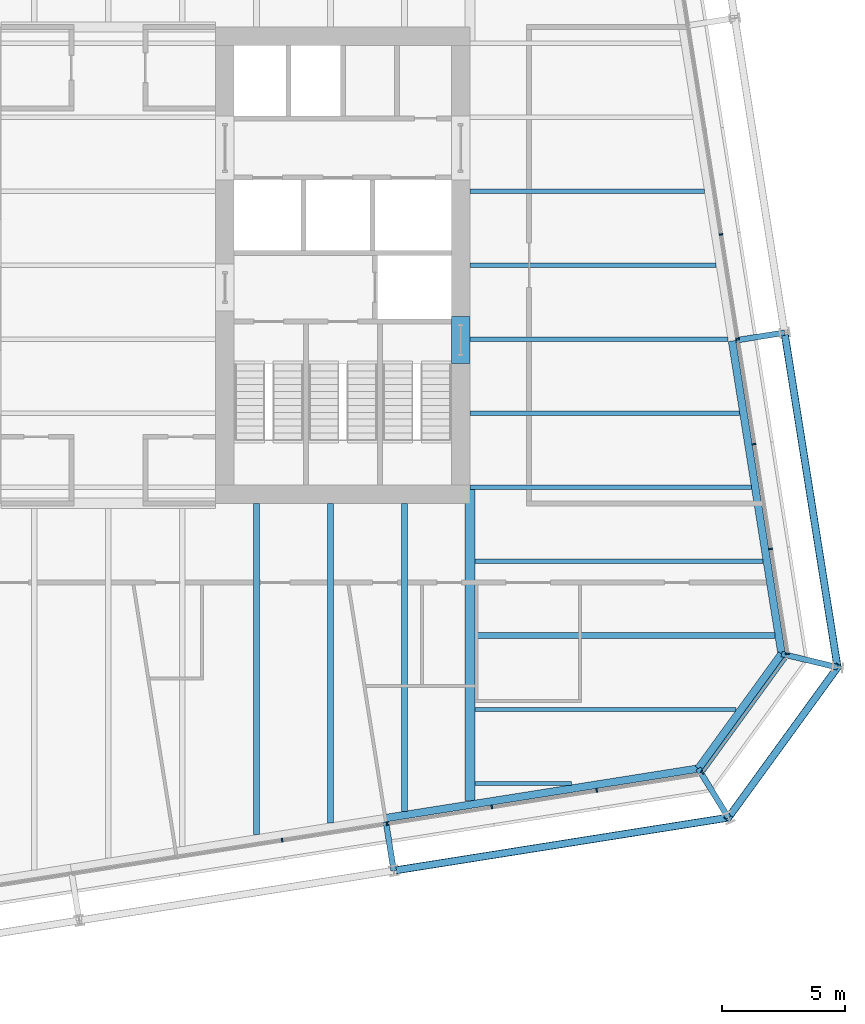
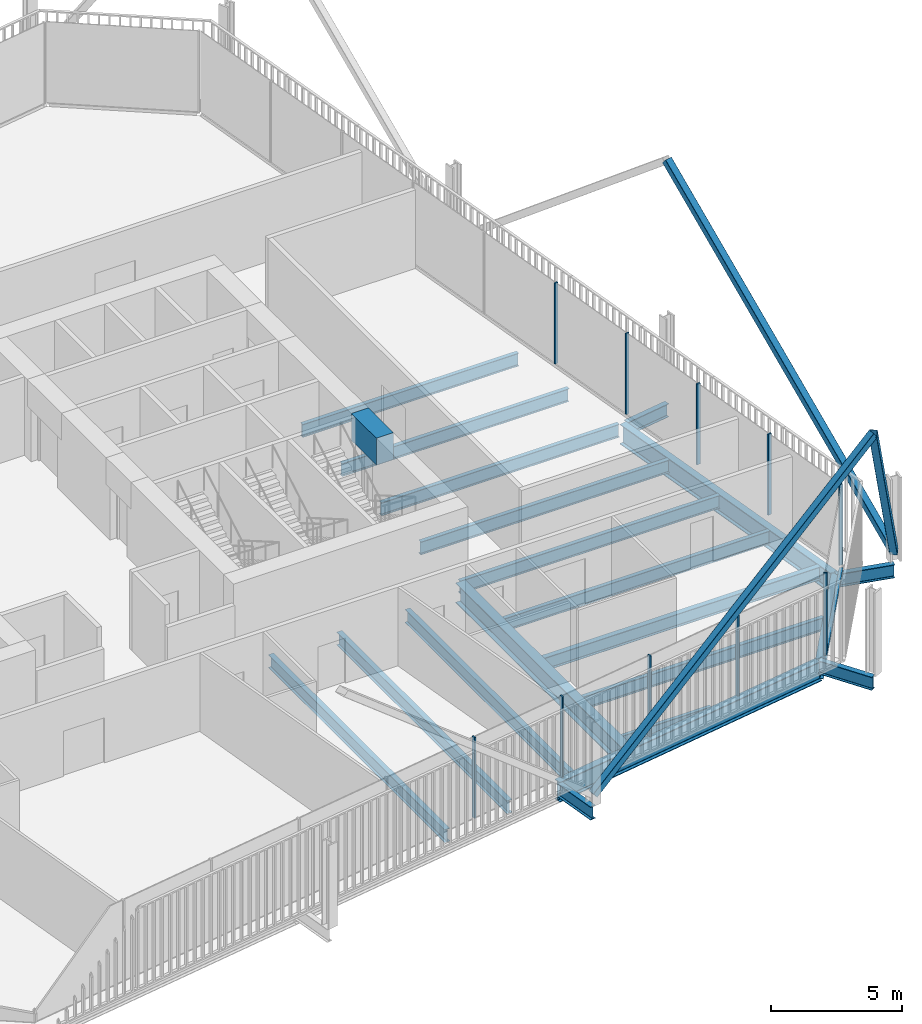
# One storey, part 8 of 22: 21 beams, 14 members, 3 elements without a shape of their own.
"""IFC4 building model written with IfcOpenShell, lengths in metres."""

from ifc_helpers import new_model, si_unit, direction, frame, origin, origin_2d, place, context, subcontext, project, spatial, rectangle, hollow_rectangle, i_section, extrude, material, layer, layer_set, material_profile, profile_set, type_object, element, aggregate, save


model = new_model("IFC4")

# Units and contexts
model_context = context("Model", 3, precision=1e-05, world=origin(), true_north=direction((0.0, 1.0)))
body_context = subcontext(model_context, "Body", "Model", "MODEL_VIEW")
ifc_project = project(units=[si_unit("LENGTHUNIT", "METRE"), si_unit("AREAUNIT", "SQUARE_METRE"), si_unit("VOLUMEUNIT", "CUBIC_METRE"), si_unit("PLANEANGLEUNIT", "RADIAN"), si_unit("MASSUNIT", "GRAM", prefix="KILO")], contexts=[model_context])

# Site, building, storey
site_placement = place(None, origin())
site = spatial("IfcSite", under=ifc_project, at=site_placement, CompositionType="ELEMENT")
building_placement = place(site_placement, origin())
building = spatial("IfcBuilding", under=site, at=building_placement, Name="Millrace Tower", CompositionType="ELEMENT")
storey_placement = place(building_placement, frame((0.0, 0.0, 168.5)))
storey = spatial("IfcBuildingStorey", under=building, at=storey_placement, Name="L38", CompositionType="ELEMENT", Elevation=168.5)

# Curtain wall, members
ifc_material_1 = material(Name="Aluminium and glass", Category="aluminium")
ifc_layer = layer(ifc_material_1, 0.14990234375)
ifc_layer_set = layer_set([ifc_layer], Name="Aluminium and glass")
curtain_wall_type = type_object("IfcCurtainWallType", Name="CW-1 office vision curtain wall", PredefinedType="NOTDEFINED", material=ifc_layer_set)
placement = place(storey_placement, origin())
curtain_wall_1 = element("IfcCurtainWall", 1, at=placement, inside=storey, type_object=curtain_wall_type, Name="Curtain wall C-F02 L38", PredefinedType="NOTDEFINED")
ifc_material_2 = material(Name="Aluminium", Category="aluminium")
ifc_material_profile_1 = material_profile(ifc_material_2, rectangle(XDim=0.06494140625, YDim=0.14990234375, at=origin_2d()))
ifc_profile_set_1 = profile_set([ifc_material_profile_1], Name="Aluminium")
member_type_1 = type_object("IfcMemberType", Name="CW-1 office vision curtain wall mullion", PredefinedType="MULLION", material=ifc_profile_set_1)
member_1_placement = place(storey_placement, frame((7.04345703125, -23.293212890625, 0.139892578125), z_axis=(0.0, 0.0, 1.0), x_axis=(0.98768833929, 0.15643447328, 0.0)))
member_1 = element("IfcMember", 2, at=member_1_placement, type_object=member_type_1, Name="CW1 mullion C-F02.6", PredefinedType="MULLION", context=body_context, shape_type="SweptSolid", body=[
    extrude(rectangle(XDim=0.06494140625, YDim=0.14990234375, at=origin_2d()), origin(), (0.0, 0.0, 1.0), 3.760009765625),
])
member_2_placement = place(storey_placement, frame((11.29052734375, -22.62060546875, 0.139892578125), z_axis=(0.0, 0.0, 1.0), x_axis=(0.98768833929, 0.15643447328, 0.0)))
member_2 = element("IfcMember", 3, at=member_2_placement, type_object=member_type_1, Name="CW1 mullion C-F02.7", PredefinedType="MULLION", context=body_context, shape_type="SweptSolid", body=[
    extrude(rectangle(XDim=0.06494140625, YDim=0.14990234375, at=origin_2d()), origin(), (0.0, 0.0, 1.0), 3.760009765625),
])
member_3_placement = place(storey_placement, frame((15.53759765625, -21.947998046875, 0.139892578125), z_axis=(0.0, 0.0, 1.0), x_axis=(0.98768833929, 0.15643447328, 0.0)))
member_3 = element("IfcMember", 4, at=member_3_placement, type_object=member_type_1, Name="CW1 mullion C-F02.8", PredefinedType="MULLION", context=body_context, shape_type="SweptSolid", body=[
    extrude(rectangle(XDim=0.06494140625, YDim=0.14990234375, at=origin_2d()), origin(), (0.0, 0.0, 1.0), 3.760009765625),
])
member_4_placement = place(storey_placement, frame((19.78466796875, -21.275390625, 0.139892578125), z_axis=(0.0, 0.0, 1.0), x_axis=(0.98768833929, 0.15643447328, 0.0)))
member_4 = element("IfcMember", 5, at=member_4_placement, type_object=member_type_1, Name="CW1 mullion C-F02.9", PredefinedType="MULLION", context=body_context, shape_type="SweptSolid", body=[
    extrude(rectangle(XDim=0.06494140625, YDim=0.14990234375, at=origin_2d()), origin(), (0.0, 0.0, 1.0), 3.760009765625),
])
aggregate(curtain_wall_1, [member_1, member_2, member_3, member_4])

# Curtain wall, member
curtain_wall_2 = element("IfcCurtainWall", 6, at=placement, inside=storey, type_object=curtain_wall_type, Name="Curtain wall C-F03 L38", PredefinedType="NOTDEFINED")
member_5_placement = place(storey_placement, frame((24.06787109375, -20.551513671875, 0.139892578125), z_axis=(0.0, 0.0, 1.0), x_axis=(0.587785269844, 0.809016981623, 0.0)))
member_5 = element("IfcMember", 7, at=member_5_placement, type_object=member_type_1, Name="CW1 mullion C-F03.1", PredefinedType="MULLION", context=body_context, shape_type="SweptSolid", body=[
    extrude(rectangle(XDim=0.06494140625, YDim=0.14990234375, at=origin_2d()), origin(), (0.0, 0.0, 1.0), 3.760009765625),
])

# Curtain wall, members
curtain_wall_3 = element("IfcCurtainWall", 8, at=placement, inside=storey, type_object=curtain_wall_type, Name="Curtain wall C-F04 L38", PredefinedType="NOTDEFINED")
member_6_placement = place(storey_placement, frame((27.506591796875, -15.74169921875, 0.139892578125), z_axis=(0.0, 0.0, 1.0), x_axis=(-0.15643447328, 0.98768833929, 0.0)))
member_6 = element("IfcMember", 9, at=member_6_placement, type_object=member_type_1, Name="CW1 mullion C-F04.1", PredefinedType="MULLION", context=body_context, shape_type="SweptSolid", body=[
    extrude(rectangle(XDim=0.06494140625, YDim=0.14990234375, at=origin_2d()), origin(), (0.0, 0.0, 1.0), 3.760009765625),
])
member_7_placement = place(storey_placement, frame((26.833984375, -11.49462890625, 0.139892578125), z_axis=(0.0, 0.0, 1.0), x_axis=(-0.15643447328, 0.98768833929, 0.0)))
member_7 = element("IfcMember", 10, at=member_7_placement, type_object=member_type_1, Name="CW1 mullion C-F04.2", PredefinedType="MULLION", context=body_context, shape_type="SweptSolid", body=[
    extrude(rectangle(XDim=0.06494140625, YDim=0.14990234375, at=origin_2d()), origin(), (0.0, 0.0, 1.0), 3.760009765625),
])
member_8_placement = place(storey_placement, frame((26.161376953125, -7.24755859375, 0.139892578125), z_axis=(0.0, 0.0, 1.0), x_axis=(-0.15643447328, 0.98768833929, 0.0)))
member_8 = element("IfcMember", 11, at=member_8_placement, type_object=member_type_1, Name="CW1 mullion C-F04.3", PredefinedType="MULLION", context=body_context, shape_type="SweptSolid", body=[
    extrude(rectangle(XDim=0.06494140625, YDim=0.14990234375, at=origin_2d()), origin(), (0.0, 0.0, 1.0), 3.760009765625),
])
member_9_placement = place(storey_placement, frame((25.48876953125, -3.00048828125, 0.139892578125), z_axis=(0.0, 0.0, 1.0), x_axis=(-0.15643447328, 0.98768833929, 0.0)))
member_9 = element("IfcMember", 12, at=member_9_placement, type_object=member_type_1, Name="CW1 mullion C-F04.4", PredefinedType="MULLION", context=body_context, shape_type="SweptSolid", body=[
    extrude(rectangle(XDim=0.06494140625, YDim=0.14990234375, at=origin_2d()), origin(), (0.0, 0.0, 1.0), 3.760009765625),
])
member_10_placement = place(storey_placement, frame((24.81591796875, 1.24658203125, 0.139892578125), z_axis=(0.0, 0.0, 1.0), x_axis=(-0.15643447328, 0.98768833929, 0.0)))
member_10 = element("IfcMember", 13, at=member_10_placement, type_object=member_type_1, Name="CW1 mullion C-F04.5", PredefinedType="MULLION", context=body_context, shape_type="SweptSolid", body=[
    extrude(rectangle(XDim=0.06494140625, YDim=0.14990234375, at=origin_2d()), origin(), (0.0, 0.0, 1.0), 3.760009765625),
])
aggregate(curtain_wall_3, [member_6, member_7, member_8, member_9, member_10])

# Member
ifc_material_3 = material(Name="Aluminium", Category="aluminium")
ifc_material_profile_2 = material_profile(ifc_material_3, rectangle(XDim=0.14990234375, YDim=0.139892578125, at=origin_2d()))
ifc_profile_set_2 = profile_set([ifc_material_profile_2], Name="Aluminium")
member_type_2 = type_object("IfcMemberType", Name="CW-1 office vision curtain wall transom", PredefinedType="USERDEFINED", material=ifc_profile_set_2)
member_11_placement = place(storey_placement, frame((24.107421875, -20.496826171875, 0.070068359375), z_axis=(0.587810581339, 0.808998591139, 0.0), x_axis=(-0.808998591139, 0.587810581339, 0.0)))
member_11 = element("IfcMember", 14, at=member_11_placement, type_object=member_type_2, Name="CW1 transom C-F03.1", ObjectType="TRANSOM", PredefinedType="USERDEFINED", context=body_context, shape_type="SweptSolid", body=[
    extrude(rectangle(XDim=0.14990234375, YDim=0.139892578125, at=origin_2d()), origin(), (0.0, 0.0, 1.0), 5.6689453125),
])

aggregate(curtain_wall_2, [member_5, member_11])

# Beam
ifc_material_4 = material(Name="Concrete C70", Category="concrete")
ifc_material_profile_3 = material_profile(ifc_material_4, rectangle(XDim=0.75, YDim=1.25, at=origin_2d()))
ifc_profile_set_3 = profile_set([ifc_material_profile_3], Name="Concrete C70")
beam_type_1 = type_object("IfcBeamType", Name="Coupling beam 750 x 1250 Concrete C70, 1300 opening", PredefinedType="BEAM", material=ifc_profile_set_3)
beam_1_placement = place(storey_placement, frame((14.27490234375, -2.080078125, 3.02490234375), z_axis=(0.0, -1.0, 0.0), x_axis=(1.0, 0.0, 0.0)))
element("IfcBeam", 15, at=beam_1_placement, inside=storey, type_object=beam_type_1, Name="Coupling beam E L38", PredefinedType="BEAM", context=body_context, shape_type="SweptSolid", body=[
    extrude(rectangle(XDim=0.75, YDim=1.25, at=origin_2d()), origin(), (0.0, 0.0, 1.0), 1.89990234375),
])

# Members
ifc_material_5 = material(Name="Steel ASTM A500 Grade C", Category="steel")
ifc_material_profile_4 = material_profile(ifc_material_5, hollow_rectangle(XDim=0.3046875, YDim=0.3046875, WallThickness=0.0126953125, InnerFilletRadius=0.00634765625, OuterFilletRadius=0.01904296875, at=origin_2d()))
ifc_profile_set_4 = profile_set([ifc_material_profile_4], Name="Steel ASTM A500 Grade C")
member_type_3 = type_object("IfcMemberType", Name="Exoskeleton brace HSS12x12x1/2", PredefinedType="BRACE", material=ifc_profile_set_4)
member_12_placement = place(storey_placement, frame((11.5595703125, -24.527099609375, 0.39990234375), z_axis=(0.779017116294, 0.123388793159, 0.61474184683), x_axis=(-0.156440158434, 0.987687438833, 0.0)))
element("IfcMember", 16, at=member_12_placement, inside=storey, type_object=member_type_3, Name="BRC-C-L38-04", PredefinedType="BRACE", context=body_context, shape_type="SweptSolid", body=[
    extrude(hollow_rectangle(XDim=0.3046875, YDim=0.3046875, WallThickness=0.0126953125, InnerFilletRadius=0.00634765625, OuterFilletRadius=0.01904296875, at=origin_2d()), origin(), (0.0, 0.0, 1.0), 17.406005859375),
])
member_13_placement = place(storey_placement, frame((29.542724609375, -16.291015625, 0.39990234375), z_axis=(-0.338150784271, -0.465412233465, 0.817952015731), x_axis=(0.809009551985, -0.587795495726, 0.0)))
element("IfcMember", 17, at=member_13_placement, inside=storey, type_object=member_type_3, Name="BRC-C-L38-05", PredefinedType="BRACE", context=body_context, shape_type="SweptSolid", body=[
    extrude(hollow_rectangle(XDim=0.3046875, YDim=0.3046875, WallThickness=0.0126953125, InnerFilletRadius=0.00634765625, OuterFilletRadius=0.01904296875, at=origin_2d()), origin(), (0.0, 0.0, 1.0), 13.081787109375),
])
member_14_placement = place(storey_placement, frame((29.542724609375, -16.291015625, 0.39990234375), z_axis=(-0.123388793159, 0.779017116294, 0.61474184683), x_axis=(-0.987687438833, -0.156440158434, 0.0)))
element("IfcMember", 18, at=member_14_placement, inside=storey, type_object=member_type_3, Name="BRC-C-L38-06", PredefinedType="BRACE", context=body_context, shape_type="SweptSolid", body=[
    extrude(hollow_rectangle(XDim=0.3046875, YDim=0.3046875, WallThickness=0.0126953125, InnerFilletRadius=0.00634765625, OuterFilletRadius=0.01904296875, at=origin_2d()), origin(), (0.0, 0.0, 1.0), 17.406005859375),
])

# Beams
ifc_material_6 = material(Name="Steel ASTM A992 Grade 50", Category="steel")
ifc_material_profile_5 = material_profile(ifc_material_6, i_section(OverallWidth=0.15234375, OverallDepth=0.449462890625, WebThickness=0.007568359375, FlangeThickness=0.0107421875, FilletRadius=0.01025390625, at=origin_2d()))
ifc_profile_set_5 = profile_set([ifc_material_profile_5], Name="Steel ASTM A992 Grade 50")
beam_type_2 = type_object("IfcBeamType", Name="Floor beam W18x35", PredefinedType="JOIST", material=ifc_profile_set_5)
beam_2_placement = place(storey_placement, frame((14.859619140625, -21.0, -0.384765625), z_axis=(1.0, 0.0, 0.0), x_axis=(0.0, 1.0, 0.0)))
element("IfcBeam", 19, at=beam_2_placement, inside=storey, type_object=beam_type_2, Name="BM-C-L38-S1-S003", PredefinedType="JOIST", context=body_context, shape_type="SweptSolid", body=[
    extrude(i_section(OverallWidth=0.15234375, OverallDepth=0.449462890625, WebThickness=0.007568359375, FlangeThickness=0.0107421875, FilletRadius=0.01025390625, at=origin_2d()), origin(), (0.0, 0.0, 1.0), 3.9033203125),
])
ifc_material_7 = material(Name="Steel ASTM A992 Grade 50", Category="steel")
ifc_material_profile_6 = material_profile(ifc_material_7, i_section(OverallWidth=0.177978515625, OverallDepth=0.599365234375, WebThickness=0.010009765625, FlangeThickness=0.012939453125, FilletRadius=0.012939453125, at=origin_2d()))
ifc_profile_set_6 = profile_set([ifc_material_profile_6], Name="Steel ASTM A992 Grade 50")
beam_type_3 = type_object("IfcBeamType", Name="Floor beam W24x55", PredefinedType="JOIST", material=ifc_profile_set_6)
beam_3_placement = place(storey_placement, frame((14.64990234375, 0.0, -0.459716796875), z_axis=(1.0, 0.0, 0.0), x_axis=(0.0, 1.0, 0.0)))
element("IfcBeam", 20, at=beam_3_placement, inside=storey, type_object=beam_type_3, Name="BM-C-L38-S1-S021", PredefinedType="JOIST", context=body_context, shape_type="SweptSolid", body=[
    extrude(i_section(OverallWidth=0.177978515625, OverallDepth=0.599365234375, WebThickness=0.010009765625, FlangeThickness=0.012939453125, FilletRadius=0.012939453125, at=origin_2d()), origin(), (0.0, 0.0, 1.0), 9.976318359375),
])
beam_4_placement = place(storey_placement, frame((14.64990234375, 3.0, -0.459716796875), z_axis=(1.0, 0.0, 0.0), x_axis=(0.0, 1.0, 0.0)))
element("IfcBeam", 21, at=beam_4_placement, inside=storey, type_object=beam_type_3, Name="BM-C-L38-S1-S024", PredefinedType="JOIST", context=body_context, shape_type="SweptSolid", body=[
    extrude(i_section(OverallWidth=0.177978515625, OverallDepth=0.599365234375, WebThickness=0.010009765625, FlangeThickness=0.012939453125, FilletRadius=0.012939453125, at=origin_2d()), origin(), (0.0, 0.0, 1.0), 9.501220703125),
])
ifc_material_8 = material(Name="Steel ASTM A992 Grade 50", Category="steel")
ifc_material_profile_7 = material_profile(ifc_material_8, i_section(OverallWidth=0.1787109375, OverallDepth=0.60205078125, WebThickness=0.010986328125, FlangeThickness=0.014892578125, FilletRadius=0.0126953125, at=origin_2d()))
ifc_profile_set_7 = profile_set([ifc_material_profile_7], Name="Steel ASTM A992 Grade 50")
beam_type_4 = type_object("IfcBeamType", Name="Floor beam W24x62", PredefinedType="JOIST", material=ifc_profile_set_7)
beam_5_placement = place(storey_placement, frame((14.859619140625, -12.0, -0.4609375), z_axis=(1.0, 0.0, 0.0), x_axis=(0.0, 1.0, 0.0)))
element("IfcBeam", 22, at=beam_5_placement, inside=storey, type_object=beam_type_4, Name="BM-C-L38-S1-S009", PredefinedType="JOIST", context=body_context, shape_type="SweptSolid", body=[
    extrude(i_section(OverallWidth=0.1787109375, OverallDepth=0.60205078125, WebThickness=0.010986328125, FlangeThickness=0.014892578125, FilletRadius=0.0126953125, at=origin_2d()), origin(), (0.0, 0.0, 1.0), 11.667236328125),
])
beam_6_placement = place(storey_placement, frame((14.64990234375, -9.0, -0.4609375), z_axis=(1.0, 0.0, 0.0), x_axis=(0.0, 1.0, 0.0)))
element("IfcBeam", 23, at=beam_6_placement, inside=storey, type_object=beam_type_4, Name="BM-C-L38-S1-S012", PredefinedType="JOIST", context=body_context, shape_type="SweptSolid", body=[
    extrude(i_section(OverallWidth=0.1787109375, OverallDepth=0.60205078125, WebThickness=0.010986328125, FlangeThickness=0.014892578125, FilletRadius=0.0126953125, at=origin_2d()), origin(), (0.0, 0.0, 1.0), 11.40185546875),
])
beam_7_placement = place(storey_placement, frame((14.64990234375, -6.0, -0.4609375), z_axis=(1.0, 0.0, 0.0), x_axis=(0.0, 1.0, 0.0)))
element("IfcBeam", 24, at=beam_7_placement, inside=storey, type_object=beam_type_4, Name="BM-C-L38-S1-S015", PredefinedType="JOIST", context=body_context, shape_type="SweptSolid", body=[
    extrude(i_section(OverallWidth=0.1787109375, OverallDepth=0.60205078125, WebThickness=0.010986328125, FlangeThickness=0.014892578125, FilletRadius=0.0126953125, at=origin_2d()), origin(), (0.0, 0.0, 1.0), 10.9267578125),
])
beam_8_placement = place(storey_placement, frame((14.64990234375, -3.0, -0.4609375), z_axis=(1.0, 0.0, 0.0), x_axis=(0.0, 1.0, 0.0)))
element("IfcBeam", 25, at=beam_8_placement, inside=storey, type_object=beam_type_4, Name="BM-C-L38-S1-S018", PredefinedType="JOIST", context=body_context, shape_type="SweptSolid", body=[
    extrude(i_section(OverallWidth=0.1787109375, OverallDepth=0.60205078125, WebThickness=0.010986328125, FlangeThickness=0.014892578125, FilletRadius=0.0126953125, at=origin_2d()), origin(), (0.0, 0.0, 1.0), 10.45166015625),
])
beam_9_placement = place(storey_placement, frame((14.859619140625, -18.0, -0.4609375), z_axis=(1.0, 0.0, 0.0), x_axis=(0.0, 1.0, 0.0)))
element("IfcBeam", 26, at=beam_9_placement, inside=storey, type_object=beam_type_4, Name="BM-C-L38-S1-S005", PredefinedType="JOIST", context=body_context, shape_type="SweptSolid", body=[
    extrude(i_section(OverallWidth=0.1787109375, OverallDepth=0.60205078125, WebThickness=0.010986328125, FlangeThickness=0.014892578125, FilletRadius=0.0126953125, at=origin_2d()), origin(), (0.0, 0.0, 1.0), 10.577392578125),
])
ifc_material_9 = material(Name="Steel ASTM A992 Grade 50", Category="steel")
ifc_material_profile_8 = material_profile(ifc_material_9, i_section(OverallWidth=0.228271484375, OverallDepth=0.607177734375, WebThickness=0.01123046875, FlangeThickness=0.017333984375, FilletRadius=0.0126953125, at=origin_2d()))
ifc_profile_set_8 = profile_set([ifc_material_profile_8], Name="Steel ASTM A992 Grade 50")
beam_type_5 = type_object("IfcBeamType", Name="Floor beam W24x76", PredefinedType="JOIST", material=ifc_profile_set_8)
beam_10_placement = place(storey_placement, frame((14.859619140625, -15.0, -0.463623046875), z_axis=(1.0, 0.0, 0.0), x_axis=(0.0, 1.0, 0.0)))
element("IfcBeam", 27, at=beam_10_placement, inside=storey, type_object=beam_type_5, Name="BM-C-L38-S1-S007", PredefinedType="JOIST", context=body_context, shape_type="SweptSolid", body=[
    extrude(i_section(OverallWidth=0.228271484375, OverallDepth=0.607177734375, WebThickness=0.01123046875, FlangeThickness=0.017333984375, FilletRadius=0.0126953125, at=origin_2d()), origin(), (0.0, 0.0, 1.0), 12.142578125),
])
beam_11_placement = place(storey_placement, frame((6.0, -23.071533203125, -0.463623046875), z_axis=(0.0, 1.0, 0.0), x_axis=(-1.0, 0.0, 0.0)))
element("IfcBeam", 28, at=beam_11_placement, inside=storey, type_object=beam_type_5, Name="BM-C-L38-S1-S052", PredefinedType="JOIST", context=body_context, shape_type="SweptSolid", body=[
    extrude(i_section(OverallWidth=0.228271484375, OverallDepth=0.607177734375, WebThickness=0.01123046875, FlangeThickness=0.017333984375, FilletRadius=0.0126953125, at=origin_2d()), origin(), (0.0, 0.0, 1.0), 13.421630859375),
])
beam_12_placement = place(storey_placement, frame((9.0, -22.596435546875, -0.463623046875), z_axis=(0.0, 1.0, 0.0), x_axis=(-1.0, 0.0, 0.0)))
element("IfcBeam", 29, at=beam_12_placement, inside=storey, type_object=beam_type_5, Name="BM-C-L38-S1-S054", PredefinedType="JOIST", context=body_context, shape_type="SweptSolid", body=[
    extrude(i_section(OverallWidth=0.228271484375, OverallDepth=0.607177734375, WebThickness=0.01123046875, FlangeThickness=0.017333984375, FilletRadius=0.0126953125, at=origin_2d()), origin(), (0.0, 0.0, 1.0), 12.946533203125),
])
beam_13_placement = place(storey_placement, frame((12.0, -22.12109375, -0.463623046875), z_axis=(0.0, 1.0, 0.0), x_axis=(-1.0, 0.0, 0.0)))
element("IfcBeam", 30, at=beam_13_placement, inside=storey, type_object=beam_type_5, Name="BM-C-L38-S1-S056", PredefinedType="JOIST", context=body_context, shape_type="SweptSolid", body=[
    extrude(i_section(OverallWidth=0.228271484375, OverallDepth=0.607177734375, WebThickness=0.01123046875, FlangeThickness=0.017333984375, FilletRadius=0.0126953125, at=origin_2d()), origin(), (0.0, 0.0, 1.0), 12.47119140625),
])
ifc_material_10 = material(Name="Steel ASTM A992 Grade 50", Category="steel")
ifc_material_profile_9 = material_profile(ifc_material_10, i_section(OverallWidth=0.419189453125, OverallDepth=0.927001953125, WebThickness=0.019287109375, FlangeThickness=0.031982421875, FilletRadius=0.024169921875, at=origin_2d()))
ifc_profile_set_9 = profile_set([ifc_material_profile_9], Name="Steel ASTM A992 Grade 50")
beam_type_6 = type_object("IfcBeamType", Name="Girder medium span W36x231", PredefinedType="BEAM", material=ifc_profile_set_9)
beam_14_placement = place(storey_placement, frame((14.64990234375, -21.693603515625, -0.62353515625), z_axis=(0.0, 1.0, 0.0), x_axis=(-1.0, 0.0, 0.0)))
element("IfcBeam", 31, at=beam_14_placement, inside=storey, type_object=beam_type_6, Name="BM-C-L38-S1-G060", PredefinedType="BEAM", context=body_context, shape_type="SweptSolid", body=[
    extrude(i_section(OverallWidth=0.419189453125, OverallDepth=0.927001953125, WebThickness=0.019287109375, FlangeThickness=0.031982421875, FilletRadius=0.024169921875, at=origin_2d()), origin(), (0.0, 0.0, 1.0), 12.603515625),
])
ifc_material_11 = material(Name="Steel ASTM A992 Grade 50", Category="steel")
ifc_material_profile_10 = material_profile(ifc_material_11, i_section(OverallWidth=0.23046875, OverallDepth=0.6171875, WebThickness=0.01318359375, FlangeThickness=0.022216796875, FilletRadius=0.012939453125, at=origin_2d()))
ifc_profile_set_10 = profile_set([ifc_material_profile_10], Name="Steel ASTM A992 Grade 50")
beam_type_7 = type_object("IfcBeamType", Name="Link beam W24x94", PredefinedType="BEAM", material=ifc_profile_set_10)
beam_15_placement = place(storey_placement, frame((25.419677734375, -3.04443359375, -0.468505859375), z_axis=(0.987678691416, 0.156495375404, 0.0), x_axis=(-0.156495375404, 0.987678691416, 0.0)))
element("IfcBeam", 32, at=beam_15_placement, inside=storey, type_object=beam_type_7, Name="LNK-C-L38-S1-11", PredefinedType="BEAM", context=body_context, shape_type="SweptSolid", body=[
    extrude(i_section(OverallWidth=0.23046875, OverallDepth=0.6171875, WebThickness=0.01318359375, FlangeThickness=0.022216796875, FilletRadius=0.012939453125, at=origin_2d()), origin(), (0.0, 0.0, 1.0), 2.0),
])
beam_16_placement = place(storey_placement, frame((27.27587890625, -15.746826171875, -0.468505859375), z_axis=(0.972373041068, -0.233432364948, 0.0), x_axis=(0.233432364948, 0.972373041068, 0.0)))
element("IfcBeam", 33, at=beam_16_placement, inside=storey, type_object=beam_type_7, Name="LNK-C-L38-S1-12", PredefinedType="BEAM", context=body_context, shape_type="SweptSolid", body=[
    extrude(i_section(OverallWidth=0.23046875, OverallDepth=0.6171875, WebThickness=0.01318359375, FlangeThickness=0.022216796875, FilletRadius=0.012939453125, at=origin_2d()), origin(), (0.0, 0.0, 1.0), 2.331298828125),
])
beam_17_placement = place(storey_placement, frame((23.901123046875, -20.391845703125, -0.468505859375), z_axis=(0.522512938711, -0.852631355792, 0.0), x_axis=(0.852631355792, 0.522512938711, 0.0)))
element("IfcBeam", 34, at=beam_17_placement, inside=storey, type_object=beam_type_7, Name="LNK-C-L38-S1-13", PredefinedType="BEAM", context=body_context, shape_type="SweptSolid", body=[
    extrude(i_section(OverallWidth=0.23046875, OverallDepth=0.6171875, WebThickness=0.01318359375, FlangeThickness=0.022216796875, FilletRadius=0.012939453125, at=origin_2d()), origin(), (0.0, 0.0, 1.0), 2.3310546875),
])
beam_18_placement = place(storey_placement, frame((11.246826171875, -22.5517578125, -0.468505859375), z_axis=(0.15637629034, -0.987697552806, 0.0), x_axis=(0.987697552806, 0.15637629034, 0.0)))
element("IfcBeam", 35, at=beam_18_placement, inside=storey, type_object=beam_type_7, Name="LNK-C-L38-S1-14", PredefinedType="BEAM", context=body_context, shape_type="SweptSolid", body=[
    extrude(i_section(OverallWidth=0.23046875, OverallDepth=0.6171875, WebThickness=0.01318359375, FlangeThickness=0.022216796875, FilletRadius=0.012939453125, at=origin_2d()), origin(), (0.0, 0.0, 1.0), 2.0),
])
ifc_material_12 = material(Name="Steel ASTM A992 Grade 50", Category="steel")
ifc_material_profile_11 = material_profile(ifc_material_12, i_section(OverallWidth=0.307373046875, OverallDepth=0.927001953125, WebThickness=0.01953125, FlangeThickness=0.031982421875, FilletRadius=0.01904296875, at=origin_2d()))
ifc_profile_set_11 = profile_set([ifc_material_profile_11], Name="Steel ASTM A992 Grade 50")
beam_type_8 = type_object("IfcBeamType", Name="Ring beam medium span W36x194", PredefinedType="SPANDREL", material=ifc_profile_set_11)
for number, where, z_axis, x_axis, name in (
    (36, (25.267822265625, -3.068359375, -0.62353515625), (0.15643330783, -0.987688523879, 0.0), (0.987688523879, 0.15643330783, 0.0), "RNG-C-L38-S1-11"),
    (37, (23.901123046875, -20.391845703125, -0.62353515625), (-0.987688523879, -0.15643330783, 0.0), (0.15643330783, -0.987688523879, 0.0), "RNG-C-L38-S1-13"),
):
    element("IfcBeam", number, at=place(storey_placement, frame(where, z_axis=z_axis, x_axis=x_axis)), inside=storey, type_object=beam_type_8, Name=name, PredefinedType="SPANDREL", context=body_context, shape_type="SweptSolid", body=[
        extrude(i_section(OverallWidth=0.307373046875, OverallDepth=0.927001953125, WebThickness=0.01953125, FlangeThickness=0.031982421875, FilletRadius=0.01904296875, at=origin_2d()), origin(), (0.0, 0.0, 1.0), 12.83642578125),
    ])
ifc_material_13 = material(Name="Steel ASTM A992 Grade 50", Category="steel")
ifc_material_profile_12 = material_profile(ifc_material_13, i_section(OverallWidth=0.307373046875, OverallDepth=0.927001953125, WebThickness=0.01953125, FlangeThickness=0.031982421875, FilletRadius=0.01904296875, at=origin_2d()))
ifc_profile_set_12 = profile_set([ifc_material_profile_12], Name="Steel ASTM A992 Grade 50")
beam_type_9 = type_object("IfcBeamType", Name="Ring beam short span W36x194", PredefinedType="SPANDREL", material=ifc_profile_set_12)
beam_19_placement = place(storey_placement, frame((27.27587890625, -15.746826171875, -0.62353515625), z_axis=(-0.58777973792, -0.809021000772, 0.0), x_axis=(0.809021000772, -0.58777973792, 0.0)))
element("IfcBeam", 38, at=beam_19_placement, inside=storey, type_object=beam_type_9, Name="RNG-C-L38-S1-12", PredefinedType="SPANDREL", context=body_context, shape_type="SweptSolid", body=[
    extrude(i_section(OverallWidth=0.307373046875, OverallDepth=0.927001953125, WebThickness=0.01953125, FlangeThickness=0.031982421875, FilletRadius=0.01904296875, at=origin_2d()), origin(), (0.0, 0.0, 1.0), 5.741455078125),
])

save(model, "model.ifc")
